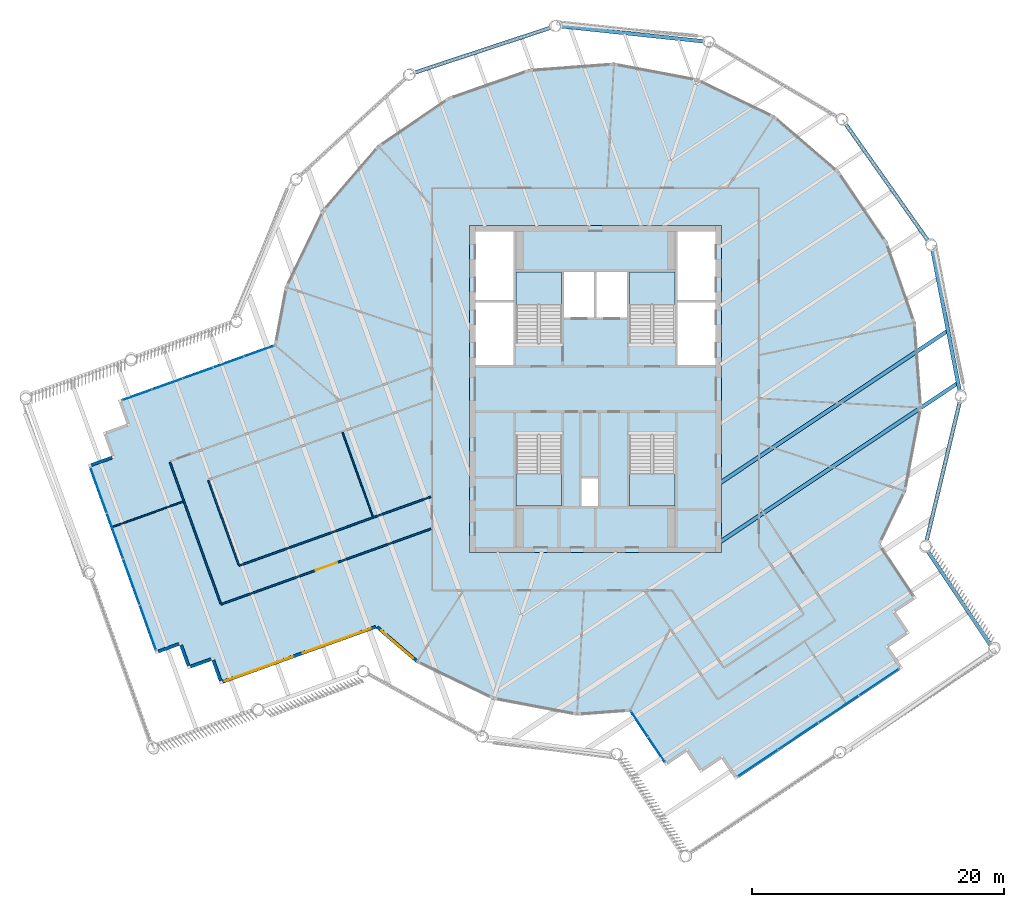
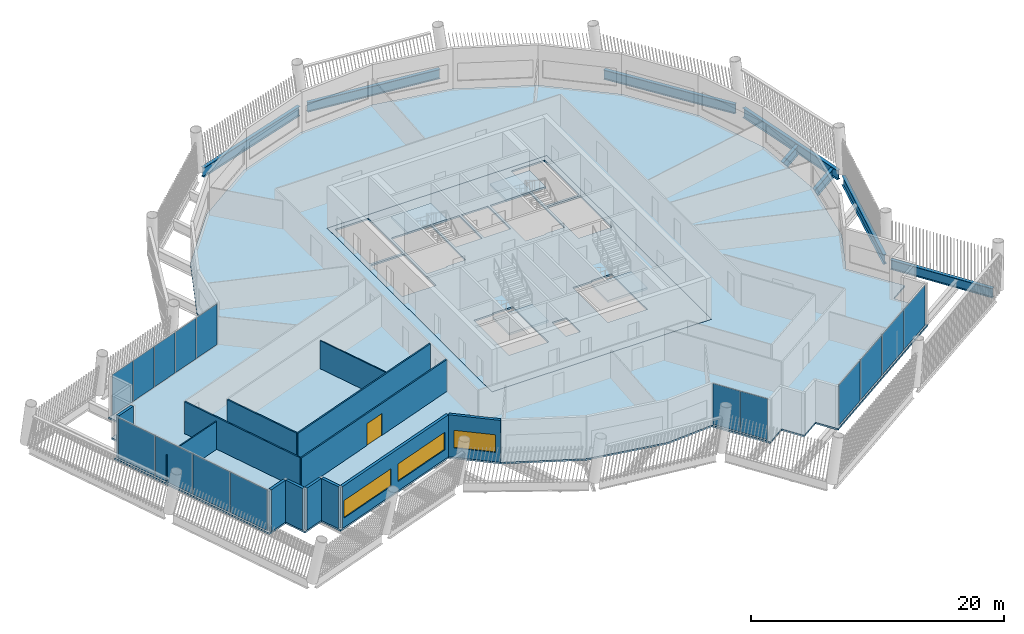
# One storey, part 16 of 28: 15 plates, 13 walls, 8 beams, 6 slabs, 3 windows, 1 door, 4 openings, 8 elements without a shape of their own.
"""IFC4 building model written with IfcOpenShell, lengths in metres."""

import ifcopenshell
import ifcopenshell.guid

model = None  # the IFC model being written
_history = None  # IfcOwnerHistory: only IFC2X3 demands one
_inside = {}  # id of a spatial element -> (the spatial element, [elements in it])
_under = {}  # id of a project, library or spatial element -> (it, [spatial elements below it])
_declared = {}  # id of a project -> (the project, [libraries it declares])
_typed = {}  # id of a type object -> (the type object, [elements of that type])
_made_of = {}  # id of a material, layer set ... -> (it, [elements and type objects made of it])


def new_model(schema):
    """Start an empty IFC model of exactly this schema.

    Asked for "IFC4X3", IfcOpenShell would pick the latest addendum, in which some entities
    have other attributes; the version numbers below select the first issue.
    IFC2X3 requires an IfcOwnerHistory on every rooted entity: one is made here for all.
    """
    global model, _history
    if schema == "IFC4X3":
        model = ifcopenshell.file(schema_version=(4, 3, 0, 0))
    else:
        model = ifcopenshell.file(schema=schema)
    _inside.clear()
    _under.clear()
    _declared.clear()
    _typed.clear()
    _made_of.clear()
    _history = None
    if model.schema == "IFC2X3":
        org = make("IfcOrganization", Name="unknown")
        user = make(
            "IfcPersonAndOrganization",
            ThePerson=make("IfcPerson", FamilyName="unknown"),
            TheOrganization=org,
        )
        app = make(
            "IfcApplication",
            ApplicationDeveloper=org,
            Version="unknown",
            ApplicationFullName="unknown",
            ApplicationIdentifier="unknown",
        )
        _history = make(
            "IfcOwnerHistory",
            OwningUser=user,
            OwningApplication=app,
            ChangeAction="ADDED",
            CreationDate=0,
        )
    return model


def make(cls, **values):
    """One entity of the class cls with the attributes given. An attribute that is None is left unset."""
    return model.create_entity(
        cls, **{name: value for name, value in values.items() if value is not None}
    )


def rooted(cls, **values):
    """An entity with a GlobalId (a new one), such as an element, a storey or a relation."""
    return make(cls, GlobalId=ifcopenshell.guid.new(), OwnerHistory=_history, **values)


def si_unit(unit_type, name, prefix=None):
    """IfcSIUnit, for example si_unit("LENGTHUNIT", "METRE", prefix="MILLI")."""
    return make("IfcSIUnit", UnitType=unit_type, Prefix=prefix, Name=name)


def assignment(units):
    """IfcUnitAssignment: the units of a project."""
    return None if units is None else make("IfcUnitAssignment", Units=units)


def point(xyz):
    """IfcCartesianPoint."""
    return None if xyz is None else make("IfcCartesianPoint", Coordinates=xyz)


def direction(xyz):
    """IfcDirection."""
    return None if xyz is None else make("IfcDirection", DirectionRatios=xyz)


def frame(location, z_axis=None, x_axis=None):
    """IfcAxis2Placement3D, a coordinate frame: its origin and axes. An axis left out is left unset."""
    return make(
        "IfcAxis2Placement3D",
        Location=point(location),
        Axis=direction(z_axis),
        RefDirection=direction(x_axis),
    )


def frame_2d(location, x_axis=None):
    """IfcAxis2Placement2D, a coordinate frame in the plane: its origin and x axis."""
    return make(
        "IfcAxis2Placement2D", Location=point(location), RefDirection=direction(x_axis)
    )


def origin():
    """The frame at (0, 0, 0) with its axes left unset."""
    return frame((0.0, 0.0, 0.0))


def origin_2d():
    """The frame at (0, 0) in the plane with its x axis left unset."""
    return frame_2d((0.0, 0.0))


def place(relative_to, where):
    """IfcLocalPlacement: puts the frame where relative to a parent placement (None: the world)."""
    return make(
        "IfcLocalPlacement", PlacementRelTo=relative_to, RelativePlacement=where
    )


def context(
    kind, dimensions, precision=None, world=None, true_north=None, identifier=None
):
    """IfcGeometricRepresentationContext, for example the 3D "Model" context."""
    return make(
        "IfcGeometricRepresentationContext",
        ContextIdentifier=identifier,
        ContextType=kind,
        CoordinateSpaceDimension=dimensions,
        Precision=precision,
        WorldCoordinateSystem=world,
        TrueNorth=true_north,
    )


def subcontext(parent, identifier, kind, view, scale=None):
    """IfcGeometricRepresentationSubContext, for example "Body" below "Model"."""
    return make(
        "IfcGeometricRepresentationSubContext",
        ContextIdentifier=identifier,
        ContextType=kind,
        ParentContext=parent,
        TargetScale=scale,
        TargetView=view,
    )


def project(units=None, contexts=None):
    """IfcProject with its units and contexts."""
    return rooted(
        "IfcProject",
        Name="project",
        RepresentationContexts=contexts,
        UnitsInContext=assignment(units),
    )


def spatial(cls, under=None, at=None, **own):
    """A site, building, storey or space (cls), placed at a placement, below another one or the project."""
    s = rooted(cls, ObjectPlacement=at, **own)
    if under is not None:
        _under.setdefault(under.id(), (under, []))[1].append(s)
    return s


def polyline(points):
    """IfcPolyline through the points."""
    return make("IfcPolyline", Points=[point(p) for p in points])


def profile(cls, at=None, kind="AREA", **sizes):
    """A parametric profile (cls). Its sizes go by their IFC names, for example OverallWidth=200.0."""
    return make(cls, ProfileType=kind, Position=at, **sizes)


def rectangle(**sizes):
    """IfcRectangleProfileDef."""
    return profile("IfcRectangleProfileDef", **sizes)


def i_section(**sizes):
    """IfcIShapeProfileDef."""
    return profile("IfcIShapeProfileDef", **sizes)


def outline(outer, holes=None, kind="AREA"):
    """IfcArbitraryClosedProfileDef: a profile drawn as a closed curve; with holes, ...WithVoids."""
    if holes is None:
        return make("IfcArbitraryClosedProfileDef", ProfileType=kind, OuterCurve=outer)
    return make(
        "IfcArbitraryProfileDefWithVoids",
        ProfileType=kind,
        OuterCurve=outer,
        InnerCurves=holes,
    )


def extrude(swept, where, along, depth):
    """IfcExtrudedAreaSolid: the profile swept, set in the frame where, extruded along a direction by depth."""
    return make(
        "IfcExtrudedAreaSolid",
        SweptArea=swept,
        Position=where,
        ExtrudedDirection=direction(along),
        Depth=depth,
    )


def shape(context_of_items, identifier, shape_type, items):
    """IfcShapeRepresentation: the items that make up one representation, for example the "Body"."""
    return make(
        "IfcShapeRepresentation",
        ContextOfItems=context_of_items,
        RepresentationIdentifier=identifier,
        RepresentationType=shape_type,
        Items=items,
    )


def material(Name=None, Category=None):
    """IfcMaterial."""
    return make("IfcMaterial", Name=Name, Category=Category)


def layer(
    of_material, thickness, ventilated=None, Name=None, Category=None, Priority=None
):
    """IfcMaterialLayer: one layer of a wall or slab, of a material (None: an air gap)."""
    return make(
        "IfcMaterialLayer",
        Material=of_material,
        LayerThickness=thickness,
        IsVentilated=ventilated,
        Name=Name,
        Category=Category,
        Priority=Priority,
    )


def layer_set(layers, Name=None):
    """IfcMaterialLayerSet."""
    return make("IfcMaterialLayerSet", MaterialLayers=layers, LayerSetName=Name)


def material_profile(
    of_material, cross_section, Name=None, Category=None, Priority=None
):
    """IfcMaterialProfile: a cross section and its material."""
    return make(
        "IfcMaterialProfile",
        Name=Name,
        Material=of_material,
        Profile=cross_section,
        Priority=Priority,
        Category=Category,
    )


def profile_set(profiles, Name=None, composite=None):
    """IfcMaterialProfileSet."""
    return make(
        "IfcMaterialProfileSet",
        Name=Name,
        MaterialProfiles=profiles,
        CompositeProfile=composite,
    )


def made_of(thing, what):
    """Note that an element or type object is made of a material, layer set ...; save() writes the relation."""
    if what is not None:
        _made_of.setdefault(what.id(), (what, []))[1].append(thing)
    return thing


def type_object(cls, material=None, **own):
    """A type object (cls), such as IfcWallType, which elements share."""
    return made_of(rooted(cls, **own), material)


def element(
    cls,
    number,
    at=None,
    inside=None,
    cuts=None,
    type_object=None,
    material=None,
    context=None,
    identifier="Body",
    shape_type=None,
    held_by="IfcProductDefinitionShape",
    body=None,
    shapes=None,
    **own,
):
    """One element of the class cls, such as IfcWall. Its Tag is "e" and its number.

    at: its placement. inside: the storey or other place that contains it. cuts: it is an
    opening in that element (IfcRelVoidsElement). A single representation is given by context,
    identifier, shape_type and body (its items); several are given by shapes. held_by: the class
    of the entity that holds the representations. save() writes the other relations.
    """
    e = rooted(cls, Tag="e%d" % number, ObjectPlacement=at, **own)
    if body is not None:
        shapes = [shape(context, identifier, shape_type, body)]
    if shapes is not None:
        e.Representation = make(held_by, Representations=shapes)
    if inside is not None:
        _inside.setdefault(inside.id(), (inside, []))[1].append(e)
    if cuts is not None:
        rooted(
            "IfcRelVoidsElement", RelatingBuildingElement=cuts, RelatedOpeningElement=e
        )
    if type_object is not None:
        _typed.setdefault(type_object.id(), (type_object, []))[1].append(e)
    return made_of(e, material)


def fill(opening, filler):
    """IfcRelFillsElement: the door or window that sits in an opening."""
    return rooted(
        "IfcRelFillsElement",
        RelatingOpeningElement=opening,
        RelatedBuildingElement=filler,
    )


def aggregate(whole, parts):
    """IfcRelAggregates: a whole, such as a stair, and the parts it consists of."""
    return rooted("IfcRelAggregates", RelatingObject=whole, RelatedObjects=parts)


def save(model, path):
    """Write the relations noted so far, then the file.

    IfcRelAggregates (storeys below a building ...), IfcRelContainedInSpatialStructure (elements
    in a storey), IfcRelDefinesByType, IfcRelAssociatesMaterial and IfcRelDeclares: one each for
    every whole, place, type object, material and project.
    """
    for whole, parts in _under.values():
        aggregate(whole, parts)
    for where, things in _inside.values():
        rooted(
            "IfcRelContainedInSpatialStructure",
            RelatedElements=things,
            RelatingStructure=where,
        )
    for kind, things in _typed.values():
        rooted("IfcRelDefinesByType", RelatedObjects=things, RelatingType=kind)
    for what, things in _made_of.values():
        rooted("IfcRelAssociatesMaterial", RelatedObjects=things, RelatingMaterial=what)
    for by, libraries in _declared.values():
        rooted("IfcRelDeclares", RelatingContext=by, RelatedDefinitions=libraries)
    model.write(path)


model = new_model("IFC4")

# Units and contexts
model_context = context("Model", 3, precision=1e-05, world=origin(), true_north=direction((0.0, 1.0)))
body_context = subcontext(model_context, "Body", "Model", "MODEL_VIEW")
ifc_project = project(units=[si_unit("LENGTHUNIT", "METRE"), si_unit("AREAUNIT", "SQUARE_METRE"), si_unit("VOLUMEUNIT", "CUBIC_METRE"), si_unit("PLANEANGLEUNIT", "RADIAN"), si_unit("MASSUNIT", "GRAM", prefix="KILO")], contexts=[model_context])

# Site, building, storey
site_placement = place(None, origin())
site = spatial("IfcSite", under=ifc_project, at=site_placement, CompositionType="ELEMENT")
building_placement = place(site_placement, origin())
building = spatial("IfcBuilding", under=site, at=building_placement, Name="Tarsis Ring Headquarters", CompositionType="ELEMENT")
storey_placement = place(building_placement, frame((0.0, 0.0, 365.0)))
storey = spatial("IfcBuildingStorey", under=building, at=storey_placement, Name="L86", CompositionType="ELEMENT", Elevation=365.0)

# Beams
ifc_material_1 = material(Name="Structural steel S355", Category="steel")
ifc_material_profile = material_profile(ifc_material_1, i_section(OverallWidth=0.3046875, OverallDepth=0.91943359375, WebThickness=0.017333984375, FlangeThickness=0.02783203125, at=origin_2d()), Name="W36x170")
ifc_profile_set = profile_set([ifc_material_profile], Name="Structural steel S355")
beam_type_1 = type_object("IfcBeamType", Name="FB Floor beam W36x170", PredefinedType="JOIST", material=ifc_profile_set)
beam_1_placement = place(storey_placement, frame((9.916748046875, -7.4443359375, -0.61962890625), z_axis=(0.831376693669, 0.555709270415, 0.0), x_axis=(-0.555709270415, 0.831376693669, 0.0)))
element("IfcBeam", 1, at=beam_1_placement, inside=storey, type_object=beam_type_1, Name="Floor beam FB9", PredefinedType="JOIST", context=body_context, shape_type="SweptSolid", body=[
    extrude(i_section(OverallWidth=0.3046875, OverallDepth=0.91943359375, WebThickness=0.017333984375, FlangeThickness=0.02783203125, at=origin_2d()), origin(), (0.0, 0.0, 1.0), 21.71044921875),
])
beam_2_placement = place(storey_placement, frame((9.916748046875, -12.135498046875, -0.61962890625), z_axis=(0.831375454948, 0.555711123616, 0.0), x_axis=(-0.555711123616, 0.831375454948, 0.0)))
element("IfcBeam", 2, at=beam_2_placement, inside=storey, type_object=beam_type_1, Name="Floor beam FB9", PredefinedType="JOIST", context=body_context, shape_type="SweptSolid", body=[
    extrude(i_section(OverallWidth=0.3046875, OverallDepth=0.91943359375, WebThickness=0.017333984375, FlangeThickness=0.02783203125, at=origin_2d()), origin(), (0.0, 0.0, 1.0), 22.67333984375),
])
beam_type_2 = type_object("IfcBeamType", Name="XG Ring girder W36x170", PredefinedType="BEAM", material=ifc_profile_set)
beam_3_placement = place(storey_placement, frame((31.41455078125, -20.364990234375, -0.459716796875), z_axis=(-0.555728542912, 0.831363811212, 0.0), x_axis=(-0.831363811212, -0.555728542912, 0.0)))
element("IfcBeam", 3, at=beam_3_placement, inside=storey, type_object=beam_type_2, Name="Ring girder XG4", PredefinedType="BEAM", context=body_context, shape_type="SweptSolid", body=[
    extrude(i_section(OverallWidth=0.3046875, OverallDepth=0.91943359375, WebThickness=0.017333984375, FlangeThickness=0.02783203125, at=origin_2d()), origin(), (0.0, 0.0, 1.0), 8.9814453125),
])
for number, where, z_axis, x_axis, name in (
    (4, (26.290283203125, -12.15576171875, -0.459716796875), (0.23241195723, 0.972617438738, 0.0), (-0.972617438738, 0.23241195723, 0.0), "Ring girder XG4"),
    (5, (28.963623046875, -0.238525390625, -0.459716796875), (-0.189162799874, 0.981945739409, 0.0), (-0.981945739409, -0.189162799874, 0.0), "Ring girder XG4"),
    (6, (26.487060546875, 11.72119140625, -0.459716796875), (-0.577103406282, 0.816671083398, 0.0), (-0.816671083398, -0.577103406282, 0.0), "Ring girder XG4"),
):
    element("IfcBeam", number, at=place(storey_placement, frame(where, z_axis=z_axis, x_axis=x_axis)), inside=storey, type_object=beam_type_2, Name=name, PredefinedType="BEAM", context=body_context, shape_type="SweptSolid", body=[
        extrude(i_section(OverallWidth=0.3046875, OverallDepth=0.91943359375, WebThickness=0.017333984375, FlangeThickness=0.02783203125, at=origin_2d()), origin(), (0.0, 0.0, 1.0), 11.426025390625),
    ])
for number, where, z_axis, x_axis, name in (
    (7, (8.682861328125, 27.63232421875, -0.459716796875), (-0.994395319657, 0.105725816358, 0.0), (-0.105725816358, -0.994395319657, 0.0), "Ring girder XG4"),
    (8, (-3.478759765625, 28.7548828125, -0.459716796875), (-0.949566314426, -0.313566284073, 0.0), (0.313566284073, -0.949566314426, 0.0), "Ring girder XG4"),
):
    element("IfcBeam", number, at=place(storey_placement, frame(where, z_axis=z_axis, x_axis=x_axis)), inside=storey, type_object=beam_type_2, Name=name, PredefinedType="BEAM", context=body_context, shape_type="SweptSolid", body=[
        extrude(i_section(OverallWidth=0.3046875, OverallDepth=0.91943359375, WebThickness=0.017333984375, FlangeThickness=0.02783203125, at=origin_2d()), origin(), (0.0, 0.0, 1.0), 11.42578125),
    ])

# Slab
ifc_material_2 = material(Name="Concrete C40/50", Category="concrete")
ifc_layer_1 = layer(ifc_material_2, 0.159912109375)
ifc_layer_set_1 = layer_set([ifc_layer_1], Name="Core floor slab 160 C40/50")
slab_type_1 = type_object("IfcSlabType", Name="Core floor slab 160 C40/50", PredefinedType="FLOOR", material=ifc_layer_set_1)
slab_1_placement = place(storey_placement, frame((0.0, 0.0, -0.159912109375)))
element("IfcSlab", 9, at=slab_1_placement, inside=storey, type_object=slab_type_1, Name="L86 core floor slab", PredefinedType="FLOOR", context=body_context, shape_type="SweptSolid", body=[
    extrude(outline(polyline([(-10.0, -13.0), (10.0, -13.0), (10.0, 13.0), (-10.0, 13.0), (-10.0, -13.0)]), holes=[polyline([(-2.5, 5.699951171875), (-0.10009765625, 5.699951171875), (-0.10009765625, 9.300048828125), (-2.5, 9.300048828125), (-2.5, 5.699951171875)]), polyline([(0.10009765625, 5.699951171875), (2.5, 5.699951171875), (2.5, 9.300048828125), (0.10009765625, 9.300048828125), (0.10009765625, 5.699951171875)]), polyline([(-9.550048828125, 1.89990234375), (-6.5, 1.89990234375), (-6.5, 6.89990234375), (-9.550048828125, 6.89990234375), (-9.550048828125, 1.89990234375)]), polyline([(-9.550048828125, 7.10009765625), (-6.5, 7.10009765625), (-6.5, 12.550048828125), (-9.550048828125, 12.550048828125), (-9.550048828125, 7.10009765625)]), polyline([(6.5, 1.89990234375), (9.550048828125, 1.89990234375), (9.550048828125, 6.89990234375), (6.5, 6.89990234375), (6.5, 1.89990234375)]), polyline([(6.5, 7.10009765625), (9.550048828125, 7.10009765625), (9.550048828125, 12.550048828125), (6.5, 12.550048828125), (6.5, 7.10009765625)]), polyline([(-1.10009765625, -9.300048828125), (0.199951171875, -9.300048828125), (0.199951171875, -7.10009765625), (-1.10009765625, -7.10009765625), (-1.10009765625, -9.300048828125)]), polyline([(-2.699951171875, 3.760009765625), (-2.699951171875, 9.300048828125), (-6.300048828125, 9.300048828125), (-6.300048828125, 3.659912109375), (-4.4599609375, 3.659912109375), (-4.4599609375, 3.760009765625), (-2.699951171875, 3.760009765625)]), polyline([(6.300048828125, 3.760009765625), (6.300048828125, 9.300048828125), (2.699951171875, 9.300048828125), (2.699951171875, 3.659912109375), (4.5400390625, 3.659912109375), (4.5400390625, 3.760009765625), (6.300048828125, 3.760009765625)]), polyline([(-6.300048828125, -3.760009765625), (-6.300048828125, -9.300048828125), (-2.699951171875, -9.300048828125), (-2.699951171875, -3.659912109375), (-4.5400390625, -3.659912109375), (-4.5400390625, -3.760009765625), (-6.300048828125, -3.760009765625)]), polyline([(2.699951171875, -3.760009765625), (2.699951171875, -9.300048828125), (6.300048828125, -9.300048828125), (6.300048828125, -3.659912109375), (4.4599609375, -3.659912109375), (4.4599609375, -3.760009765625), (2.699951171875, -3.760009765625)])]), origin(), (0.0, 0.0, 1.0), 0.159912109375),
])

# Stair, slab
ifc_material_3 = material(Name="Core stair 1760")
stair_type = type_object("IfcStairType", Name="Core stair 1760", PredefinedType="HALF_TURN_STAIR", material=ifc_material_3)
stair_1_placement = place(storey_placement, origin())
stair_1 = element("IfcStair", 10, at=stair_1_placement, inside=storey, type_object=stair_type, Name="L86 Firefighting stair", PredefinedType="HALF_TURN_STAIR")
ifc_layer_2 = layer(ifc_material_2, 0.199951171875)
ifc_layer_set_2 = layer_set([ifc_layer_2], Name="Core stair landing 200")
slab_type_2 = type_object("IfcSlabType", Name="Core stair landing 200", PredefinedType="LANDING", material=ifc_layer_set_2)
slab_2_placement = place(storey_placement, frame((0.0, 0.0, 1.89990234375)))
slab_2 = element("IfcSlab", 11, at=slab_2_placement, type_object=slab_type_2, Name="Stair ST1 landing 1", PredefinedType="LANDING", context=body_context, shape_type="SweptSolid", body=[
    extrude(outline(polyline([(-2.699951171875, 6.739990234375), (-2.699951171875, 9.300048828125), (-6.300048828125, 9.300048828125), (-6.300048828125, 6.739990234375), (-2.699951171875, 6.739990234375)])), origin(), (0.0, 0.0, 1.0), 0.2001953125),
])
aggregate(stair_1, [slab_2])

stair_2_placement = place(storey_placement, origin())
stair_2 = element("IfcStair", 12, at=stair_2_placement, inside=storey, type_object=stair_type, Name="L86 Exit stair B", PredefinedType="HALF_TURN_STAIR")
slab_3_placement = place(storey_placement, frame((0.0, 0.0, 1.89990234375)))
slab_3 = element("IfcSlab", 13, at=slab_3_placement, type_object=slab_type_2, Name="Stair ST2 landing 1", PredefinedType="LANDING", context=body_context, shape_type="SweptSolid", body=[
    extrude(outline(polyline([(6.300048828125, 6.739990234375), (6.300048828125, 9.300048828125), (2.699951171875, 9.300048828125), (2.699951171875, 6.739990234375), (6.300048828125, 6.739990234375)])), origin(), (0.0, 0.0, 1.0), 0.2001953125),
])
aggregate(stair_2, [slab_3])

stair_3_placement = place(storey_placement, origin())
stair_3 = element("IfcStair", 14, at=stair_3_placement, inside=storey, type_object=stair_type, Name="L86 Exit stair C", PredefinedType="HALF_TURN_STAIR")
slab_4_placement = place(storey_placement, frame((0.0, 0.0, 1.89990234375)))
slab_4 = element("IfcSlab", 15, at=slab_4_placement, type_object=slab_type_2, Name="Stair ST3 landing 1", PredefinedType="LANDING", context=body_context, shape_type="SweptSolid", body=[
    extrude(outline(polyline([(-6.300048828125, -6.739990234375), (-6.300048828125, -9.300048828125), (-2.699951171875, -9.300048828125), (-2.699951171875, -6.739990234375), (-6.300048828125, -6.739990234375)])), origin(), (0.0, 0.0, 1.0), 0.2001953125),
])
aggregate(stair_3, [slab_4])

stair_4_placement = place(storey_placement, origin())
stair_4 = element("IfcStair", 16, at=stair_4_placement, inside=storey, type_object=stair_type, Name="L86 Exit stair D", PredefinedType="HALF_TURN_STAIR")
slab_5_placement = place(storey_placement, frame((0.0, 0.0, 1.89990234375)))
slab_5 = element("IfcSlab", 17, at=slab_5_placement, type_object=slab_type_2, Name="Stair ST4 landing 1", PredefinedType="LANDING", context=body_context, shape_type="SweptSolid", body=[
    extrude(outline(polyline([(2.699951171875, -6.739990234375), (2.699951171875, -9.300048828125), (6.300048828125, -9.300048828125), (6.300048828125, -6.739990234375), (2.699951171875, -6.739990234375)])), origin(), (0.0, 0.0, 1.0), 0.2001953125),
])
aggregate(stair_4, [slab_5])

# Curtain wall, plates
ifc_material_4 = material(Name="Aluminium curtain wall", Category="aluminium")
ifc_layer_3 = layer(ifc_material_4, 0.199951171875)
ifc_layer_set_3 = layer_set([ifc_layer_3], Name="Curtain wall executive tip")
curtain_wall_type_1 = type_object("IfcCurtainWallType", Name="Curtain wall executive tip", PredefinedType="NOTDEFINED", material=ifc_layer_set_3)
curtain_wall_1_placement = place(storey_placement, origin())
curtain_wall_1 = element("IfcCurtainWall", 18, at=curtain_wall_1_placement, inside=storey, type_object=curtain_wall_type_1, Name="Curtain wall L86-11", PredefinedType="NOTDEFINED")
ifc_material_5 = material(Name="Clear double glazing", Category="glass")
ifc_layer_4 = layer(ifc_material_5, 0.028076171875)
ifc_layer_set_4 = layer_set([ifc_layer_4], Name="Curtain wall glass panel executive tip")
plate_type_1 = type_object("IfcPlateType", Name="Curtain wall glass panel executive tip", PredefinedType="CURTAIN_PANEL", material=ifc_layer_set_4)
plate_1_placement = place(storey_placement, frame((12.8955078125, -29.720458984375, 0.070068359375), z_axis=(0.0, 0.0, 1.0), x_axis=(0.831372582655, 0.555715420705, 0.0)))
plate_1 = element("IfcPlate", 19, at=plate_1_placement, type_object=plate_type_1, Name="CW-E panel 1.1", PredefinedType="CURTAIN_PANEL", context=body_context, shape_type="SweptSolid", body=[
    extrude(rectangle(XDim=3.77001953125, YDim=0.028076171875, at=origin_2d()), origin(), (0.0, 0.0, 1.0), 3.89990234375),
])
plate_2_placement = place(storey_placement, frame((16.1025390625, -27.57666015625, 0.070068359375), z_axis=(0.0, 0.0, 1.0), x_axis=(0.831372582655, 0.555715420705, 0.0)))
plate_2 = element("IfcPlate", 20, at=plate_2_placement, type_object=plate_type_1, Name="CW-E panel 2.1", PredefinedType="CURTAIN_PANEL", context=body_context, shape_type="SweptSolid", body=[
    extrude(rectangle(XDim=3.804931640625, YDim=0.028076171875, at=origin_2d()), origin(), (0.0, 0.0, 1.0), 3.89990234375),
])
plate_3_placement = place(storey_placement, frame((19.32421875, -25.42333984375, 0.070068359375), z_axis=(0.0, 0.0, 1.0), x_axis=(0.831372582655, 0.555715420705, 0.0)))
plate_3 = element("IfcPlate", 21, at=plate_3_placement, type_object=plate_type_1, Name="CW-E panel 3.1", PredefinedType="CURTAIN_PANEL", context=body_context, shape_type="SweptSolid", body=[
    extrude(rectangle(XDim=3.804931640625, YDim=0.028076171875, at=origin_2d()), origin(), (0.0, 0.0, 1.0), 3.89990234375),
])
plate_4_placement = place(storey_placement, frame((22.53125, -23.279541015625, 0.070068359375), z_axis=(0.0, 0.0, 1.0), x_axis=(0.831372582655, 0.555715420705, 0.0)))
plate_4 = element("IfcPlate", 22, at=plate_4_placement, type_object=plate_type_1, Name="CW-E panel 4.1", PredefinedType="CURTAIN_PANEL", context=body_context, shape_type="SweptSolid", body=[
    extrude(rectangle(XDim=3.77001953125, YDim=0.028076171875, at=origin_2d()), origin(), (0.0, 0.0, 1.0), 3.89990234375),
])
aggregate(curtain_wall_1, [plate_1, plate_2, plate_3, plate_4])

curtain_wall_2_placement = place(storey_placement, origin())
curtain_wall_2 = element("IfcCurtainWall", 23, at=curtain_wall_2_placement, inside=storey, type_object=curtain_wall_type_1, Name="Curtain wall L86-36", PredefinedType="NOTDEFINED")
plate_5_placement = place(storey_placement, frame((-39.486328125, -8.027099609375, 0.070068359375), z_axis=(0.0, 0.0, 1.0), x_axis=(0.338080966198, -0.941117027949, 0.0)))
plate_5 = element("IfcPlate", 24, at=plate_5_placement, type_object=plate_type_1, Name="CW-E panel 1.1", PredefinedType="CURTAIN_PANEL", context=body_context, shape_type="SweptSolid", body=[
    extrude(rectangle(XDim=3.77001953125, YDim=0.028076171875, at=origin_2d()), origin(), (0.0, 0.0, 1.0), 3.89990234375),
])
plate_6_placement = place(storey_placement, frame((-38.18212890625, -11.657470703125, 0.070068359375), z_axis=(0.0, 0.0, 1.0), x_axis=(0.338080966198, -0.941117027949, 0.0)))
plate_6 = element("IfcPlate", 25, at=plate_6_placement, type_object=plate_type_1, Name="CW-E panel 2.1", PredefinedType="CURTAIN_PANEL", context=body_context, shape_type="SweptSolid", body=[
    extrude(rectangle(XDim=3.804931640625, YDim=0.028076171875, at=origin_2d()), origin(), (0.0, 0.0, 1.0), 3.89990234375),
])
plate_7_placement = place(storey_placement, frame((-36.8720703125, -15.304443359375, 0.070068359375), z_axis=(0.0, 0.0, 1.0), x_axis=(0.338080966198, -0.941117027949, 0.0)))
plate_7 = element("IfcPlate", 26, at=plate_7_placement, type_object=plate_type_1, Name="CW-E panel 3.1", PredefinedType="CURTAIN_PANEL", context=body_context, shape_type="SweptSolid", body=[
    extrude(rectangle(XDim=3.804931640625, YDim=0.028076171875, at=origin_2d()), origin(), (0.0, 0.0, 1.0), 3.89990234375),
])
plate_8_placement = place(storey_placement, frame((-35.56787109375, -18.934814453125, 0.070068359375), z_axis=(0.0, 0.0, 1.0), x_axis=(0.338080966198, -0.941117027949, 0.0)))
plate_8 = element("IfcPlate", 27, at=plate_8_placement, type_object=plate_type_1, Name="CW-E panel 4.1", PredefinedType="CURTAIN_PANEL", context=body_context, shape_type="SweptSolid", body=[
    extrude(rectangle(XDim=3.77001953125, YDim=0.028076171875, at=origin_2d()), origin(), (0.0, 0.0, 1.0), 3.89990234375),
])
aggregate(curtain_wall_2, [plate_5, plate_6, plate_7, plate_8])

ifc_layer_5 = layer(ifc_material_4, 0.14990234375)
ifc_layer_set_5 = layer_set([ifc_layer_5], Name="Curtain wall tower unit")
curtain_wall_type_2 = type_object("IfcCurtainWallType", Name="Curtain wall tower unit", PredefinedType="NOTDEFINED", material=ifc_layer_set_5)
curtain_wall_3_placement = place(storey_placement, origin())
curtain_wall_3 = element("IfcCurtainWall", 28, at=curtain_wall_3_placement, inside=storey, type_object=curtain_wall_type_2, Name="Curtain wall L86-06", PredefinedType="NOTDEFINED")
ifc_layer_6 = layer(ifc_material_5, 0.028076171875)
ifc_layer_set_6 = layer_set([ifc_layer_6], Name="Curtain wall glass panel tower unit")
plate_type_2 = type_object("IfcPlateType", Name="Curtain wall glass panel tower unit", PredefinedType="CURTAIN_PANEL", material=ifc_layer_set_6)
plate_9_placement = place(storey_placement, frame((3.50537109375, -26.61328125, 0.06005859375), z_axis=(0.0, 0.0, 1.0), x_axis=(0.555715553038, -0.831372494199, 0.0)))
plate_9 = element("IfcPlate", 29, at=plate_9_placement, type_object=plate_type_2, Name="CW-T panel 1.1", PredefinedType="CURTAIN_PANEL", context=body_context, shape_type="SweptSolid", body=[
    extrude(rectangle(XDim=2.37109375, YDim=0.028076171875, at=origin_2d()), origin(), (0.0, 0.0, 1.0), 3.919921875),
])
plate_10_placement = place(storey_placement, frame((4.8564453125, -28.63427734375, 0.06005859375), z_axis=(0.0, 0.0, 1.0), x_axis=(0.555715553038, -0.831372494199, 0.0)))
plate_10 = element("IfcPlate", 30, at=plate_10_placement, type_object=plate_type_2, Name="CW-T panel 2.1", PredefinedType="CURTAIN_PANEL", context=body_context, shape_type="SweptSolid", body=[
    extrude(rectangle(XDim=2.37109375, YDim=0.028076171875, at=origin_2d()), origin(), (0.0, 0.0, 1.0), 3.919921875),
])
aggregate(curtain_wall_3, [plate_9, plate_10])

curtain_wall_4_placement = place(storey_placement, origin())
curtain_wall_4 = element("IfcCurtainWall", 31, at=curtain_wall_4_placement, inside=storey, type_object=curtain_wall_type_2, Name="Curtain wall L86-31", PredefinedType="NOTDEFINED")
plate_11_placement = place(storey_placement, frame((-26.746337890625, 3.009765625, 0.06005859375), z_axis=(0.0, 0.0, 1.0), x_axis=(-0.941117035053, -0.338080946421, 0.0)))
plate_11 = element("IfcPlate", 32, at=plate_11_placement, type_object=plate_type_2, Name="CW-T panel 1.1", PredefinedType="CURTAIN_PANEL", context=body_context, shape_type="SweptSolid", body=[
    extrude(rectangle(XDim=2.490234375, YDim=0.028076171875, at=origin_2d()), origin(), (0.0, 0.0, 1.0), 3.919921875),
])
plate_12_placement = place(storey_placement, frame((-29.160400390625, 2.142578125, 0.06005859375), z_axis=(0.0, 0.0, 1.0), x_axis=(-0.941117035053, -0.338080946421, 0.0)))
plate_12 = element("IfcPlate", 33, at=plate_12_placement, type_object=plate_type_2, Name="CW-T panel 2.1", PredefinedType="CURTAIN_PANEL", context=body_context, shape_type="SweptSolid", body=[
    extrude(rectangle(XDim=2.520263671875, YDim=0.028076171875, at=origin_2d()), origin(), (0.0, 0.0, 1.0), 3.919921875),
])
plate_13_placement = place(storey_placement, frame((-31.5888671875, 1.270263671875, 0.06005859375), z_axis=(0.0, 0.0, 1.0), x_axis=(-0.941117035053, -0.338080946421, 0.0)))
plate_13 = element("IfcPlate", 34, at=plate_13_placement, type_object=plate_type_2, Name="CW-T panel 3.1", PredefinedType="CURTAIN_PANEL", context=body_context, shape_type="SweptSolid", body=[
    extrude(rectangle(XDim=2.520263671875, YDim=0.028076171875, at=origin_2d()), origin(), (0.0, 0.0, 1.0), 3.919921875),
])
plate_14_placement = place(storey_placement, frame((-34.01708984375, 0.39794921875, 0.06005859375), z_axis=(0.0, 0.0, 1.0), x_axis=(-0.941117035053, -0.338080946421, 0.0)))
plate_14 = element("IfcPlate", 35, at=plate_14_placement, type_object=plate_type_2, Name="CW-T panel 4.1", PredefinedType="CURTAIN_PANEL", context=body_context, shape_type="SweptSolid", body=[
    extrude(rectangle(XDim=2.520263671875, YDim=0.028076171875, at=origin_2d()), origin(), (0.0, 0.0, 1.0), 3.919921875),
])
plate_15_placement = place(storey_placement, frame((-36.431396484375, -0.469482421875, 0.06005859375), z_axis=(0.0, 0.0, 1.0), x_axis=(-0.941117035053, -0.338080946421, 0.0)))
plate_15 = element("IfcPlate", 36, at=plate_15_placement, type_object=plate_type_2, Name="CW-T panel 5.1", PredefinedType="CURTAIN_PANEL", context=body_context, shape_type="SweptSolid", body=[
    extrude(rectangle(XDim=2.490234375, YDim=0.028076171875, at=origin_2d()), origin(), (0.0, 0.0, 1.0), 3.919921875),
])
aggregate(curtain_wall_4, [plate_11, plate_12, plate_13, plate_14, plate_15])

# Slab
ifc_material_6 = material(Name="Concrete C35/45", Category="concrete")
ifc_layer_7 = layer(ifc_material_6, 0.159912109375)
ifc_layer_set_7 = layer_set([ifc_layer_7], Name="FS Composite floor slab 160")
slab_type_3 = type_object("IfcSlabType", Name="FS Composite floor slab 160", PredefinedType="FLOOR", material=ifc_layer_set_7)
slab_6_placement = place(storey_placement, frame((0.0, 0.0, -0.159912109375)))
element("IfcSlab", 37, at=slab_6_placement, inside=storey, type_object=slab_type_3, Name="Floor slab L86", PredefinedType="FLOOR", context=body_context, shape_type="SweptSolid", body=[
    extrude(outline(polyline([(-17.4267578125, -19.01123046875), (-14.251708984375, -21.745849609375), (-8.137939453125, -24.693603515625), (-1.469482421875, -25.95849609375), (2.70947265625, -25.647216796875), (5.58349609375, -29.947021484375), (7.246337890625, -28.835693359375), (8.357666015625, -30.498291015625), (10.0205078125, -29.386962890625), (11.1318359375, -31.049560546875), (24.433837890625, -22.158203125), (23.322509765625, -20.495361328125), (24.985107421875, -19.384033203125), (23.873779296875, -17.72119140625), (25.53662109375, -16.60986328125), (22.673828125, -12.3271484375), (24.693603515625, -8.137939453125), (25.95849609375, -1.469482421875), (25.454345703125, 5.299072265625), (23.21533203125, 11.70654296875), (19.39453125, 17.31640625), (14.251708984375, 21.745849609375), (8.137939453125, 24.693603515625), (1.469482421875, 25.95849609375), (-5.299072265625, 25.454345703125), (-11.70654296875, 23.21533203125), (-17.31640625, 19.39453125), (-21.745849609375, 14.251708984375), (-24.693603515625, 8.137939453125), (-25.560302734375, 3.568603515625), (-37.937255859375, -0.87744140625), (-37.260986328125, -2.759765625), (-39.143310546875, -3.435791015625), (-38.467041015625, -5.318115234375), (-40.349365234375, -5.994384765625), (-34.93994140625, -21.05224609375), (-33.057861328125, -20.3759765625), (-32.381591796875, -22.25830078125), (-30.49951171875, -21.58203125), (-29.8232421875, -23.46435546875), (-17.4267578125, -19.01123046875)]), holes=[polyline([(-10.0, -13.0), (-10.0, 13.0), (10.0, 13.0), (10.0, -13.0), (-10.0, -13.0)])]), origin(), (0.0, 0.0, 1.0), 0.159912109375),
])

# Walls
ifc_material_7 = material(Name="Gypsum board on steel studs", Category="steel")
ifc_layer_8 = layer(ifc_material_7, 0.10009765625)
ifc_layer_set_8 = layer_set([ifc_layer_8], Name="FL partition 100 unrated")
wall_type_1 = type_object("IfcWallType", Name="FL partition 100 unrated", PredefinedType="PARTITIONING", material=ifc_layer_set_8)
wall_1_placement = place(storey_placement, frame((-20.101318359375, -3.438232421875, 0.0), z_axis=(0.0, 0.0, 1.0), x_axis=(0.338095284497, -0.94111188421, 0.0)))
element("IfcWall", 38, at=wall_1_placement, inside=storey, type_object=wall_type_1, Name="Partition PW3", PredefinedType="PARTITIONING", context=body_context, shape_type="SweptSolid", body=[
    extrude(rectangle(XDim=7.119873046875, YDim=0.10009765625, at=frame_2d((3.56005859375, 0.0))), origin(), (0.0, 0.0, 1.0), 2.699951171875),
])
wall_2_placement = place(storey_placement, frame((-38.500244140625, -10.99365234375, 0.0), z_axis=(0.0, 0.0, 1.0), x_axis=(0.941108858286, 0.338103707248, 0.0)))
element("IfcWall", 39, at=wall_2_placement, inside=storey, type_object=wall_type_1, Name="Partition PW3", PredefinedType="PARTITIONING", context=body_context, shape_type="SweptSolid", body=[
    extrude(rectangle(XDim=6.080078125, YDim=0.10009765625, at=frame_2d((3.0400390625, 0.0))), origin(), (0.0, 0.0, 1.0), 2.699951171875),
])

# Wall, opening, door
ifc_layer_9 = layer(ifc_material_7, 0.125)
ifc_layer_set_9 = layer_set([ifc_layer_9], Name="FL partition 125 EI 60 H3070")
wall_type_2 = type_object("IfcWallType", Name="FL partition 125 EI 60 H3070", PredefinedType="PARTITIONING", material=ifc_layer_set_9)
wall_3_placement = place(storey_placement, frame((-29.77099609375, -17.10205078125, 0.0), z_axis=(0.0, 0.0, 1.0), x_axis=(0.941119466114, 0.338074178992, 0.0)))
wall_3 = element("IfcWall", 40, at=wall_3_placement, inside=storey, type_object=wall_type_2, Name="Partition PW1H307", PredefinedType="PARTITIONING", context=body_context, shape_type="SweptSolid", body=[
    extrude(rectangle(XDim=17.740478515625, YDim=0.125, at=frame_2d((8.8701171875, 0.0))), origin(), (0.0, 0.0, 1.0), 3.070068359375),
])
opening_1_placement = place(wall_3_placement, frame((8.01025390625, 0.0, 0.0)))
opening_1 = element("IfcOpeningElement", 41, at=opening_1_placement, cuts=wall_3, Name="Opening D86.01", PredefinedType="OPENING", context=body_context, shape_type="SweptSolid", body=[
    extrude(rectangle(XDim=1.800048828125, YDim=2.10009765625, at=frame_2d((0.89990234375, 1.050048828125))), frame((0.0, 0.072509765625, 0.0), z_axis=(0.0, -1.0, 0.0), x_axis=(1.0, 0.0, 0.0)), (0.0, 0.0, 1.0), 0.14501953125),
])
ifc_material_8 = material(Name="Fire-rated timber door leaf in steel frame", Category="steel")
door_type = type_object("IfcDoorType", Name="FL door FD60-1800", OperationType="DOUBLE_DOOR_SINGLE_SWING", PredefinedType="DOOR", material=ifc_material_8)
door_placement = place(opening_1_placement, origin())
door = element("IfcDoor", 42, at=door_placement, inside=storey, type_object=door_type, Name="Door D86.01", OperationType="DOUBLE_DOOR_SINGLE_SWING", OverallHeight=2.10009765625, OverallWidth=1.800048828125, PredefinedType="DOOR", context=body_context, shape_type="SweptSolid", body=[
    extrude(rectangle(XDim=1.800048828125, YDim=2.10009765625, at=frame_2d((0.89990234375, 1.050048828125))), frame((0.0, 0.02490234375, 0.0), z_axis=(0.0, -1.0, 0.0), x_axis=(1.0, 0.0, 0.0)), (0.0, 0.0, 1.0), 0.050048828125),
])
fill(opening_1, door)

# Walls
wall_4_placement = place(storey_placement, frame((-28.32373046875, -14.031982421875, 0.0), z_axis=(0.0, 0.0, 1.0), x_axis=(0.941117120819, 0.338080707673, 0.0)))
element("IfcWall", 43, at=wall_4_placement, inside=storey, type_object=wall_type_2, Name="Partition PW1H307", PredefinedType="PARTITIONING", context=body_context, shape_type="SweptSolid", body=[
    extrude(rectangle(XDim=16.20263671875, YDim=0.125, at=frame_2d((8.101318359375, 0.0))), origin(), (0.0, 0.0, 1.0), 3.070068359375),
])
wall_5_placement = place(storey_placement, frame((-33.828125, -5.80859375, 0.0), z_axis=(0.0, 0.0, 1.0), x_axis=(0.338072813038, -0.941119956799, 0.0)))
element("IfcWall", 44, at=wall_5_placement, inside=storey, type_object=wall_type_2, Name="Partition PW1H307", PredefinedType="PARTITIONING", context=body_context, shape_type="SweptSolid", body=[
    extrude(rectangle(XDim=11.940185546875, YDim=0.125, at=frame_2d((5.97021484375, 0.0))), origin(), (0.0, 0.0, 1.0), 3.070068359375),
])
wall_6_placement = place(storey_placement, frame((-30.758056640625, -7.256103515625, 0.0), z_axis=(0.0, 0.0, 1.0), x_axis=(0.338105511124, -0.941108210222, 0.0)))
element("IfcWall", 45, at=wall_6_placement, inside=storey, type_object=wall_type_2, Name="Partition PW1H307", PredefinedType="PARTITIONING", context=body_context, shape_type="SweptSolid", body=[
    extrude(rectangle(XDim=7.139892578125, YDim=0.125, at=frame_2d((3.56982421875, 0.0))), origin(), (0.0, 0.0, 1.0), 3.070068359375),
])

# Wall, openings, windows
ifc_material_9 = material(Name="Terracotta clad insulated panel wall", Category="masonry")
ifc_layer_10 = layer(ifc_material_9, 0.25)
ifc_layer_set_10 = layer_set([ifc_layer_10], Name="Facade wall terracotta panel 250")
wall_type_3 = type_object("IfcWallType", Name="Facade wall terracotta panel 250", PredefinedType="STANDARD", material=ifc_layer_set_10)
wall_7_placement = place(storey_placement, frame((-29.630126953125, -23.26220703125, 0.0), z_axis=(0.0, 0.0, 1.0), x_axis=(0.941117928519, 0.338078459265, 0.0)))
wall_7 = element("IfcWall", 46, at=wall_7_placement, inside=storey, type_object=wall_type_3, Name="External wall L86-01", PredefinedType="STANDARD", context=body_context, shape_type="SweptSolid", body=[
    extrude(rectangle(XDim=12.922119140625, YDim=0.25, at=frame_2d((6.4609375, 0.0))), origin(), (0.0, 0.0, 1.0), 4.0400390625),
])
opening_2_placement = place(wall_7_placement, frame((0.16796875, 0.0, 0.89990234375)))
opening_2 = element("IfcOpeningElement", 47, at=opening_2_placement, cuts=wall_7, Name="Opening WN06", PredefinedType="OPENING", context=body_context, shape_type="SweptSolid", body=[
    extrude(rectangle(XDim=5.75, YDim=1.699951171875, at=frame_2d((2.875, 0.85009765625))), frame((0.0, 0.135009765625, 0.0), z_axis=(0.0, -1.0, 0.0), x_axis=(1.0, 0.0, 0.0)), (0.0, 0.0, 1.0), 0.27001953125),
])
opening_3_placement = place(wall_7_placement, frame((6.75390625, 0.0, 0.89990234375)))
opening_3 = element("IfcOpeningElement", 48, at=opening_3_placement, cuts=wall_7, Name="Opening WN06", PredefinedType="OPENING", context=body_context, shape_type="SweptSolid", body=[
    extrude(rectangle(XDim=5.75, YDim=1.699951171875, at=frame_2d((2.875, 0.85009765625))), frame((0.0, 0.135009765625, 0.0), z_axis=(0.0, -1.0, 0.0), x_axis=(1.0, 0.0, 0.0)), (0.0, 0.0, 1.0), 0.27001953125),
])
ifc_material_10 = material(Name="Aluminium framed double glazing", Category="aluminium")
window_type_1 = type_object("IfcWindowType", Name="Facade window 5750 x 1700", PartitioningType="SINGLE_PANEL", PredefinedType="WINDOW", material=ifc_material_10)
window_1_placement = place(opening_2_placement, origin())
window_1 = element("IfcWindow", 49, at=window_1_placement, inside=storey, type_object=window_type_1, Name="Window L86-01.1", OverallHeight=1.699951171875, OverallWidth=5.75, PartitioningType="SINGLE_PANEL", PredefinedType="WINDOW", context=body_context, shape_type="SweptSolid", body=[
    extrude(rectangle(XDim=5.75, YDim=1.699951171875, at=frame_2d((2.875, 0.85009765625))), frame((0.0, 0.030029296875, 0.0), z_axis=(0.0, -1.0, 0.0), x_axis=(1.0, 0.0, 0.0)), (0.0, 0.0, 1.0), 0.06005859375),
])
fill(opening_2, window_1)
window_2_placement = place(opening_3_placement, origin())
window_2 = element("IfcWindow", 50, at=window_2_placement, inside=storey, type_object=window_type_1, Name="Window L86-01.2", OverallHeight=1.699951171875, OverallWidth=5.75, PartitioningType="SINGLE_PANEL", PredefinedType="WINDOW", context=body_context, shape_type="SweptSolid", body=[
    extrude(rectangle(XDim=5.75, YDim=1.699951171875, at=frame_2d((2.875, 0.85009765625))), frame((0.0, 0.030029296875, 0.0), z_axis=(0.0, -1.0, 0.0), x_axis=(1.0, 0.0, 0.0)), (0.0, 0.0, 1.0), 0.06005859375),
])
fill(opening_3, window_2)

# Wall, opening, window
wall_8_placement = place(storey_placement, frame((-17.34521484375, -18.91650390625, 0.0), z_axis=(0.0, 0.0, 1.0), x_axis=(0.757708306428, -0.652593382107, 0.0)))
wall_8 = element("IfcWall", 51, at=wall_8_placement, inside=storey, type_object=wall_type_3, Name="External wall L86-02", PredefinedType="STANDARD", context=body_context, shape_type="SweptSolid", body=[
    extrude(rectangle(XDim=4.157470703125, YDim=0.25, at=frame_2d((2.07861328125, 0.0))), origin(), (0.0, 0.0, 1.0), 4.0400390625),
])
opening_4_placement = place(wall_8_placement, frame((0.420166015625, 0.0, 0.89990234375)))
opening_4 = element("IfcOpeningElement", 52, at=opening_4_placement, cuts=wall_8, Name="Opening WN01", PredefinedType="OPENING", context=body_context, shape_type="SweptSolid", body=[
    extrude(rectangle(XDim=3.35009765625, YDim=1.699951171875, at=frame_2d((1.675048828125, 0.85009765625))), frame((0.0, 0.135009765625, 0.0), z_axis=(0.0, -1.0, 0.0), x_axis=(1.0, 0.0, 0.0)), (0.0, 0.0, 1.0), 0.27001953125),
])
window_type_2 = type_object("IfcWindowType", Name="Facade window 3350 x 1700", PartitioningType="SINGLE_PANEL", PredefinedType="WINDOW", material=ifc_material_10)
window_3_placement = place(opening_4_placement, origin())
window_3 = element("IfcWindow", 53, at=window_3_placement, inside=storey, type_object=window_type_2, Name="Window L86-02.1", OverallHeight=1.699951171875, OverallWidth=3.35009765625, PartitioningType="SINGLE_PANEL", PredefinedType="WINDOW", context=body_context, shape_type="SweptSolid", body=[
    extrude(rectangle(XDim=3.35009765625, YDim=1.699951171875, at=frame_2d((1.675048828125, 0.85009765625))), frame((0.0, 0.030029296875, 0.0), z_axis=(0.0, -1.0, 0.0), x_axis=(1.0, 0.0, 0.0)), (0.0, 0.0, 1.0), 0.06005859375),
])
fill(opening_4, window_3)

# Walls
for number, where, z_axis, x_axis, name in (
    (54, (-38.4248046875, -5.435791015625, 0.0), (0.0, 0.0, 1.0), (-0.941134366663, -0.338032696475, 0.0), "External wall L86-35"),
    (55, (-34.7470703125, -20.85009765625, 0.0), (0.0, 0.0, 1.0), (0.941089977748, 0.338156256458, 0.0), "External wall L86-37"),
    (56, (-32.940185546875, -20.333740234375, 0.0), (0.0, 0.0, 1.0), (0.338032696475, -0.941134366663, 0.0), "External wall L86-38"),
    (57, (-32.188720703125, -22.05615234375, 0.0), (0.0, 0.0, 1.0), (0.941089977748, 0.338156256458, 0.0), "External wall L86-39"),
    (58, (-30.3818359375, -21.539794921875, 0.0), (0.0, 0.0, 1.0), (0.338156256458, -0.941089977748, 0.0), "External wall L86-40"),
):
    element("IfcWall", number, at=place(storey_placement, frame(where, z_axis=z_axis, x_axis=x_axis)), inside=storey, type_object=wall_type_3, Name=name, PredefinedType="STANDARD", context=body_context, shape_type="SweptSolid", body=[
        extrude(rectangle(XDim=1.75, YDim=0.25, at=frame_2d((0.875, 0.0))), origin(), (0.0, 0.0, 1.0), 4.0400390625),
    ])

save(model, "model.ifc")
